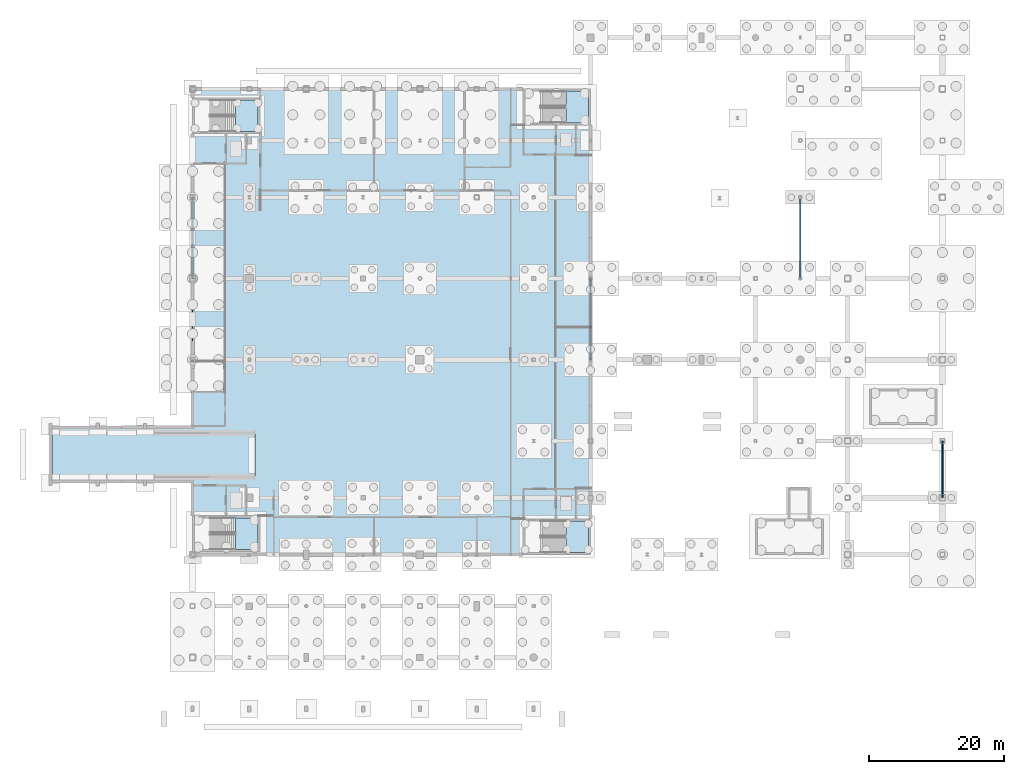
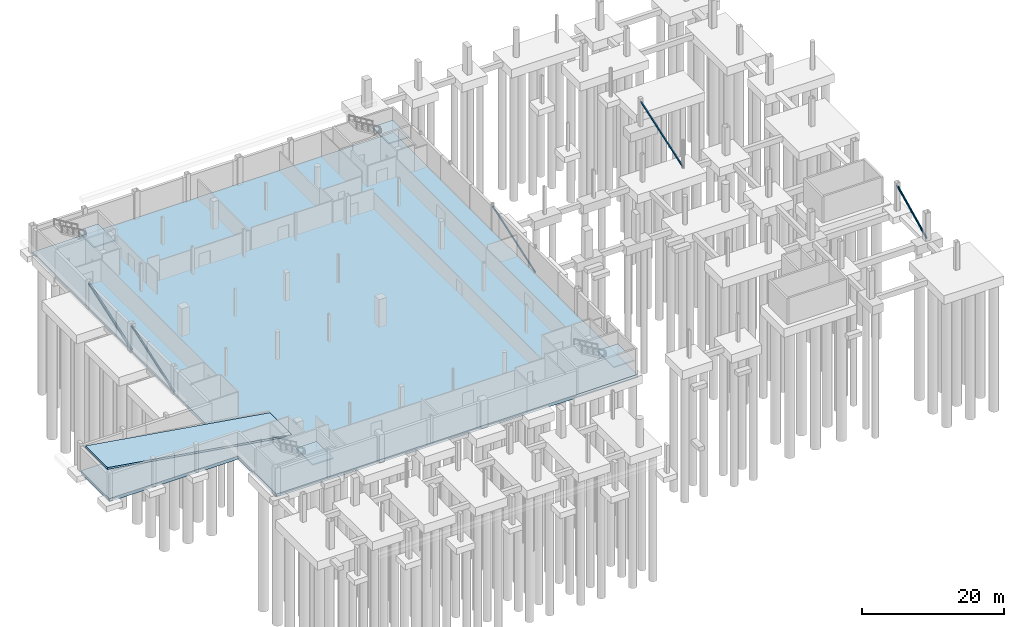
# One storey, part 18 of 34: 6 slabs, 5 members, 4 elements without a shape of their own.
"""IFC4 building model written with IfcOpenShell, lengths in metres."""

from ifc_helpers import new_model, si_unit, direction, frame, origin, origin_2d, place, context, subcontext, project, spatial, polyline, hollow_rectangle, hollow_circle, outline, extrude, material, layer, layer_set, material_profile, profile_set, type_object, element, aggregate, save


model = new_model("IFC4")

# Units and contexts
model_context = context("Model", 3, precision=1e-05, world=origin(), true_north=direction((0.0, 1.0)))
body_context = subcontext(model_context, "Body", "Model", "MODEL_VIEW")
ifc_project = project(units=[si_unit("LENGTHUNIT", "METRE"), si_unit("AREAUNIT", "SQUARE_METRE"), si_unit("VOLUMEUNIT", "CUBIC_METRE"), si_unit("PLANEANGLEUNIT", "RADIAN"), si_unit("MASSUNIT", "GRAM", prefix="KILO")], contexts=[model_context])

# Site, building, storey
site_placement = place(None, origin())
site = spatial("IfcSite", under=ifc_project, at=site_placement, CompositionType="ELEMENT")
building_placement = place(site_placement, origin())
building = spatial("IfcBuilding", under=site, at=building_placement, Name="Larkvane Passage Sports Hall", CompositionType="ELEMENT")
storey_placement = place(building_placement, frame((0.0, 0.0, -4.800048828125)))
storey = spatial("IfcBuildingStorey", under=building, at=storey_placement, Name="B01", CompositionType="ELEMENT", Elevation=-4.800048828125)

# Members
ifc_material_1 = material(Name="Steel S355JR", Category="steel")
ifc_material_profile_1 = material_profile(ifc_material_1, hollow_circle(Radius=0.1337890625, WallThickness=0.00927734375, at=origin_2d()), Name="CHS-267.4x9.3")
ifc_profile_set_1 = profile_set([ifc_material_profile_1], Name="Steel S355JR")
member_type_1 = type_object("IfcMemberType", Name="MBR-BR-CHS267", PredefinedType="BRACE", material=ifc_profile_set_1)
member_1_placement = place(storey_placement, frame((93.60009765625, 51.60009765625, 0.150146484375), z_axis=(0.0, 0.946294556922, 0.323305755501), x_axis=(-1.0, 0.0, 0.0)))
element("IfcMember", 1, at=member_1_placement, inside=storey, type_object=member_type_1, Name="Lateral frame brace B01-3", PredefinedType="BRACE", context=body_context, shape_type="SweptSolid", body=[
    extrude(hollow_circle(Radius=0.1337890625, WallThickness=0.00927734375, at=origin_2d()), origin(), (0.0, 0.0, 1.0), 12.68115234375),
])
ifc_material_2 = material(Name="Steel S460N", Category="steel")
ifc_material_profile_2 = material_profile(ifc_material_2, hollow_circle(Radius=0.1591796875, WallThickness=0.01025390625, at=origin_2d()), Name="CHS-318.5x10.3")
ifc_profile_set_2 = profile_set([ifc_material_profile_2], Name="Steel S460N")
member_type_2 = type_object("IfcMemberType", Name="MBR-BR-CHS318", PredefinedType="BRACE", material=ifc_profile_set_2)
member_2_placement = place(storey_placement, frame((145.60009765625, 31.199951171875, 0.150146484375), z_axis=(0.0, 0.898674793536, 0.438615566828), x_axis=(-1.0, 0.0, 0.0)))
element("IfcMember", 2, at=member_2_placement, inside=storey, type_object=member_type_2, Name="Lateral frame brace B01-4", PredefinedType="BRACE", context=body_context, shape_type="SweptSolid", body=[
    extrude(hollow_circle(Radius=0.1591796875, WallThickness=0.01025390625, at=origin_2d()), origin(), (0.0, 0.0, 1.0), 9.34716796875),
])
ifc_material_profile_3 = material_profile(ifc_material_1, hollow_rectangle(XDim=0.199951171875, YDim=0.199951171875, WallThickness=0.009033203125, InnerFilletRadius=0.009033203125, OuterFilletRadius=0.01806640625, at=origin_2d()), Name="SHS-200x200x9")
ifc_profile_set_3 = profile_set([ifc_material_profile_3], Name="Steel S355JR")
member_type_3 = type_object("IfcMemberType", Name="MBR-BR-SHS200", PredefinedType="BRACE", material=ifc_profile_set_3)
for number, where, z_axis, x_axis, name in (
    (3, (34.800048828125, 51.60009765625, 0.150146484375), (0.0, 0.946294556922, 0.323305755501), (-1.0, 0.0, 0.0), "Lateral frame brace B01-1"),
    (4, (124.60009765625, 63.60009765625, 0.150146484375), (0.0, 0.946294556922, 0.323305755501), (-1.0, 0.0, 0.0), "Lateral frame brace B01-5"),
):
    element("IfcMember", number, at=place(storey_placement, frame(where, z_axis=z_axis, x_axis=x_axis)), inside=storey, type_object=member_type_3, Name=name, PredefinedType="BRACE", context=body_context, shape_type="SweptSolid", body=[
        extrude(hollow_rectangle(XDim=0.199951171875, YDim=0.199951171875, WallThickness=0.009033203125, InnerFilletRadius=0.009033203125, OuterFilletRadius=0.01806640625, at=origin_2d()), origin(), (0.0, 0.0, 1.0), 12.68115234375),
    ])
ifc_material_profile_4 = material_profile(ifc_material_2, hollow_rectangle(XDim=0.25, YDim=0.25, WallThickness=0.011962890625, InnerFilletRadius=0.011962890625, OuterFilletRadius=0.02392578125, at=origin_2d()), Name="SHS-250x250x12")
ifc_profile_set_4 = profile_set([ifc_material_profile_4], Name="Steel S460N")
member_type_4 = type_object("IfcMemberType", Name="MBR-BR-SHS250", PredefinedType="BRACE", material=ifc_profile_set_4)
member_3_placement = place(storey_placement, frame((34.800048828125, 63.60009765625, 0.150146484375), z_axis=(0.0, 0.946294556922, 0.323305755501), x_axis=(-1.0, 0.0, 0.0)))
element("IfcMember", 5, at=member_3_placement, inside=storey, type_object=member_type_4, Name="Lateral frame brace B01-2", PredefinedType="BRACE", context=body_context, shape_type="SweptSolid", body=[
    extrude(hollow_rectangle(XDim=0.25, YDim=0.25, WallThickness=0.011962890625, InnerFilletRadius=0.011962890625, OuterFilletRadius=0.02392578125, at=origin_2d()), origin(), (0.0, 0.0, 1.0), 12.68115234375),
])

# Slab
ifc_material_3 = material(Name="Concrete C40/50", Category="concrete")
ifc_layer_1 = layer(ifc_material_3, 0.550048828125)
ifc_layer_set_1 = layer_set([ifc_layer_1], Name="Concrete C40/50")
slab_type_1 = type_object("IfcSlabType", Name="SLB-BASE-550", PredefinedType="BASESLAB", material=ifc_layer_set_1)
slab_1_placement = place(storey_placement, frame((0.0, 0.0, -0.550048828125)))
element("IfcSlab", 6, at=slab_1_placement, inside=storey, type_object=slab_type_1, Name="Structural floor slab SLAB-B01-MAT", PredefinedType="BASESLAB", context=body_context, shape_type="SweptSolid", body=[
    extrude(outline(polyline([(13.800048828125, 33.60009765625), (34.800048828125, 33.60009765625), (34.800048828125, 22.800048828125), (93.60009765625, 22.800048828125), (93.60009765625, 91.60009765625), (34.800048828125, 91.60009765625), (34.800048828125, 41.60009765625), (13.800048828125, 41.60009765625), (13.800048828125, 33.60009765625)]), holes=[polyline([(42.02001953125, 40.60009765625), (44.010009765625, 40.60009765625), (44.010009765625, 34.39990234375), (42.02001953125, 34.39990234375), (42.02001953125, 40.60009765625)])]), origin(), (0.0, 0.0, 1.0), 0.550048828125),
])

# Stair, slab
stair_type = type_object("IfcStairType", Name="STR-CORE-2250", PredefinedType="HALF_TURN_STAIR", material=ifc_material_3)
stair_1_placement = place(storey_placement, origin())
stair_1 = element("IfcStair", 7, at=stair_1_placement, inside=storey, type_object=stair_type, Name="B01 Protected exit stair ST-01", PredefinedType="HALF_TURN_STAIR")
ifc_layer_2 = layer(ifc_material_3, 0.199951171875)
ifc_layer_set_2 = layer_set([ifc_layer_2], Name="Concrete C40/50")
slab_type_2 = type_object("IfcSlabType", Name="SLB-LAND-200", PredefinedType="LANDING", material=ifc_layer_set_2)
slab_2_placement = place(storey_placement, frame((0.0, 0.0, 2.199951171875)))
slab_2 = element("IfcSlab", 8, at=slab_2_placement, type_object=slab_type_2, Name="ST-01 landing 1", PredefinedType="LANDING", context=body_context, shape_type="SweptSolid", body=[
    extrude(outline(polyline([(41.14990234375, 23.550048828125), (44.5, 23.550048828125), (44.5, 28.25), (41.14990234375, 28.25), (41.14990234375, 23.550048828125)])), origin(), (0.0, 0.0, 1.0), 0.2001953125),
])
aggregate(stair_1, [slab_2])

stair_2_placement = place(storey_placement, origin())
stair_2 = element("IfcStair", 9, at=stair_2_placement, inside=storey, type_object=stair_type, Name="B01 Protected exit stair ST-02", PredefinedType="HALF_TURN_STAIR")
slab_3_placement = place(storey_placement, frame((0.0, 0.0, 2.199951171875)))
slab_3 = element("IfcSlab", 10, at=slab_3_placement, type_object=slab_type_2, Name="ST-02 landing 1", PredefinedType="LANDING", context=body_context, shape_type="SweptSolid", body=[
    extrude(outline(polyline([(41.14990234375, 85.300048828125), (44.5, 85.300048828125), (44.5, 90.0), (41.14990234375, 90.0), (41.14990234375, 85.300048828125)])), origin(), (0.0, 0.0, 1.0), 0.2001953125),
])
aggregate(stair_2, [slab_3])

stair_3_placement = place(storey_placement, origin())
stair_3 = element("IfcStair", 11, at=stair_3_placement, inside=storey, type_object=stair_type, Name="B01 Protected exit stair ST-03", PredefinedType="HALF_TURN_STAIR")
slab_4_placement = place(storey_placement, frame((0.0, 0.0, 2.199951171875)))
slab_4 = element("IfcSlab", 12, at=slab_4_placement, type_object=slab_type_2, Name="ST-03 landing 1", PredefinedType="LANDING", context=body_context, shape_type="SweptSolid", body=[
    extrude(outline(polyline([(89.949951171875, 86.60009765625), (93.300048828125, 86.60009765625), (93.300048828125, 91.300048828125), (89.949951171875, 91.300048828125), (89.949951171875, 86.60009765625)])), origin(), (0.0, 0.0, 1.0), 0.2001953125),
])
aggregate(stair_3, [slab_4])

stair_4_placement = place(storey_placement, origin())
stair_4 = element("IfcStair", 13, at=stair_4_placement, inside=storey, type_object=stair_type, Name="B01 Protected exit stair ST-04", PredefinedType="HALF_TURN_STAIR")
slab_5_placement = place(storey_placement, frame((0.0, 0.0, 2.199951171875)))
slab_5 = element("IfcSlab", 14, at=slab_5_placement, type_object=slab_type_2, Name="ST-04 landing 1", PredefinedType="LANDING", context=body_context, shape_type="SweptSolid", body=[
    extrude(outline(polyline([(89.949951171875, 23.10009765625), (93.300048828125, 23.10009765625), (93.300048828125, 27.800048828125), (89.949951171875, 27.800048828125), (89.949951171875, 23.10009765625)])), origin(), (0.0, 0.0, 1.0), 0.2001953125),
])
aggregate(stair_4, [slab_5])

# Slab
ifc_layer_3 = layer(ifc_material_3, 0.300048828125)
ifc_layer_set_3 = layer_set([ifc_layer_3], Name="Concrete C40/50")
slab_type_3 = type_object("IfcSlabType", Name="SLB-VRAMP-300", PredefinedType="FLOOR", material=ifc_layer_set_3)
slab_6_placement = place(storey_placement, frame((44.0, 34.39990234375, 0.0), z_axis=(0.157992068152, 0.0, 0.987440381188), x_axis=(-0.987440381188, 0.0, 0.157992068152)))
element("IfcSlab", 15, at=slab_6_placement, inside=storey, type_object=slab_type_3, Name="Vehicle ramp structural slab SLB-VRAMP-B01", PredefinedType="FLOOR", context=body_context, shape_type="SweptSolid", body=[
    extrude(outline(polyline([(0.0, 0.0), (30.381581077231385, 0.0), (30.381581077231385, -6.2001953125), (0.0, -6.2001953125), (0.0, 0.0)])), origin(), (0.0, 0.0, -1.0), 0.300048828125),
])

save(model, "model.ifc")
